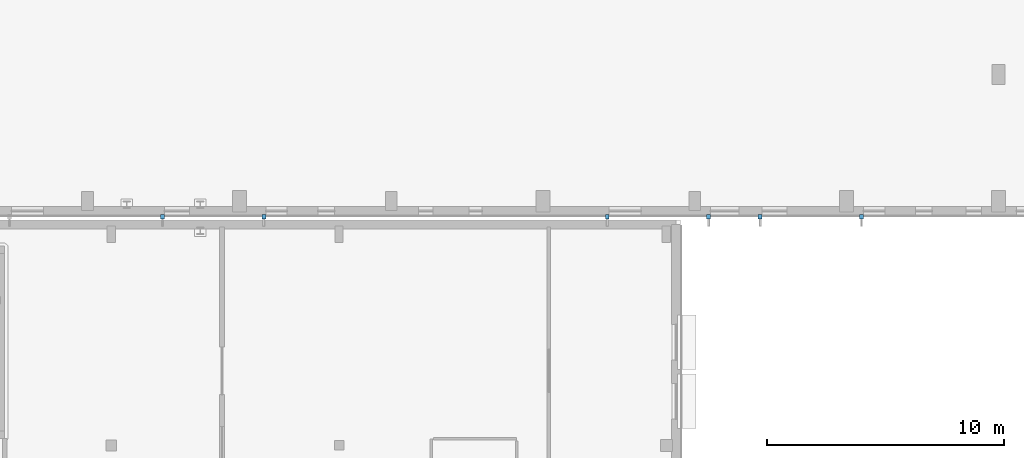
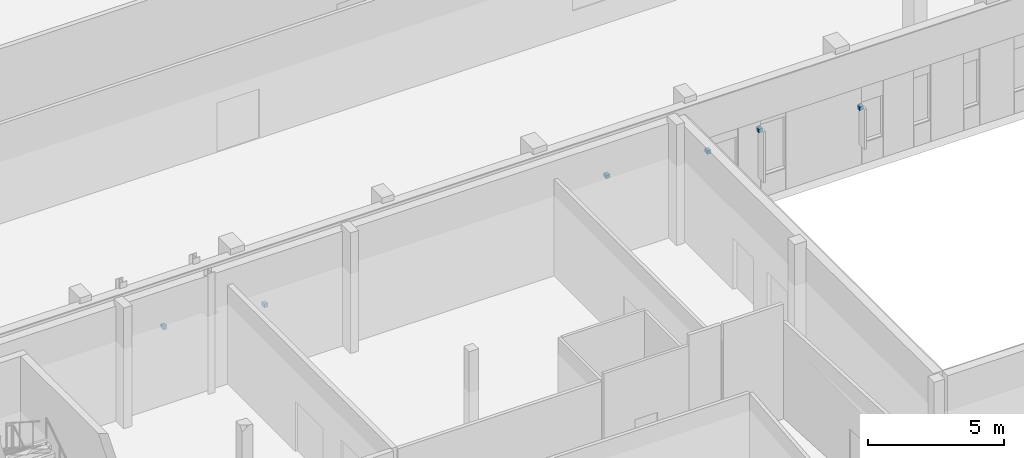
# One storey, part 56 of 84: 6 discrete accessories.
"""IFC4 building model written with IfcOpenShell, lengths in metres."""

from ifc_helpers import new_model, si_unit, direction, frame, origin, origin_2d, place, context, subcontext, project, spatial, rectangle, extrude, material, type_object, element, save


model = new_model("IFC4")

# Units and contexts
model_context = context("Model", 3, precision=1e-05, world=origin(), true_north=direction((0.0, 1.0)))
body_context = subcontext(model_context, "Body", "Model", "MODEL_VIEW")
ifc_project = project(units=[si_unit("LENGTHUNIT", "METRE"), si_unit("AREAUNIT", "SQUARE_METRE"), si_unit("VOLUMEUNIT", "CUBIC_METRE"), si_unit("PLANEANGLEUNIT", "RADIAN"), si_unit("MASSUNIT", "GRAM", prefix="KILO")], contexts=[model_context])

# Site, building, storey
site_placement = place(None, origin())
site = spatial("IfcSite", under=ifc_project, at=site_placement, CompositionType="ELEMENT")
building_placement = place(site_placement, origin())
building = spatial("IfcBuilding", under=site, at=building_placement, Name="Mzevani Central Library", CompositionType="ELEMENT")
storey_placement = place(building_placement, origin())
storey = spatial("IfcBuildingStorey", under=building, at=storey_placement, Name="L00", CompositionType="ELEMENT", Elevation=0.0)

# Discrete accessories
ifc_material = material(Name="Steel S355J2", Category="steel")
discrete_accessory_type = type_object("IfcDiscreteAccessoryType", Name="Stainless Facade Support Bracket", PredefinedType="BRACKET", material=ifc_material)
for number, where, z_axis, x_axis, name in (
    (1, (153.22998046875, 42.43994140625, 2.52001953125), (0.0, 0.0, 1.0), (-1.0, 0.0, 0.0), "L00 V1 Fin Support Bracket (5)"),
    (2, (148.955078125, 42.43994140625, 3.02001953125), (0.0, 0.0, 1.0), (-1.0, 0.0, 0.0), "L00 V1 Fin Support Bracket (6)"),
    (3, (146.780029296875, 42.43994140625, 2.81982421875), (0.0, 0.0, 1.0), (-1.0, 0.0, 0.0), "L00 V1 Fin Support Bracket (7)"),
    (4, (142.5048828125, 42.43994140625, 3.22021484375), (0.0, 0.0, 1.0), (-1.0, 0.0, 0.0), "L00 V1 Fin Support Bracket (8)"),
    (5, (128.030029296875, 42.43994140625, 2.52001953125), (0.0, 0.0, 1.0), (-1.0, 0.0, 0.0), "L00 V1 Fin Support Bracket (12)"),
    (6, (123.7548828125, 42.43994140625, 3.02001953125), (0.0, 0.0, 1.0), (-1.0, 0.0, 0.0), "L00 V1 Fin Support Bracket (13)"),
):
    element("IfcDiscreteAccessory", number, at=place(storey_placement, frame(where, z_axis=z_axis, x_axis=x_axis)), inside=storey, type_object=discrete_accessory_type, Name=name, PredefinedType="BRACKET", context=body_context, shape_type="SweptSolid", body=[
        extrude(rectangle(XDim=0.159912109375, YDim=0.199951171875, at=origin_2d()), origin(), (0.0, 0.0, 1.0), 0.159912109375),
    ])

save(model, "model.ifc")
